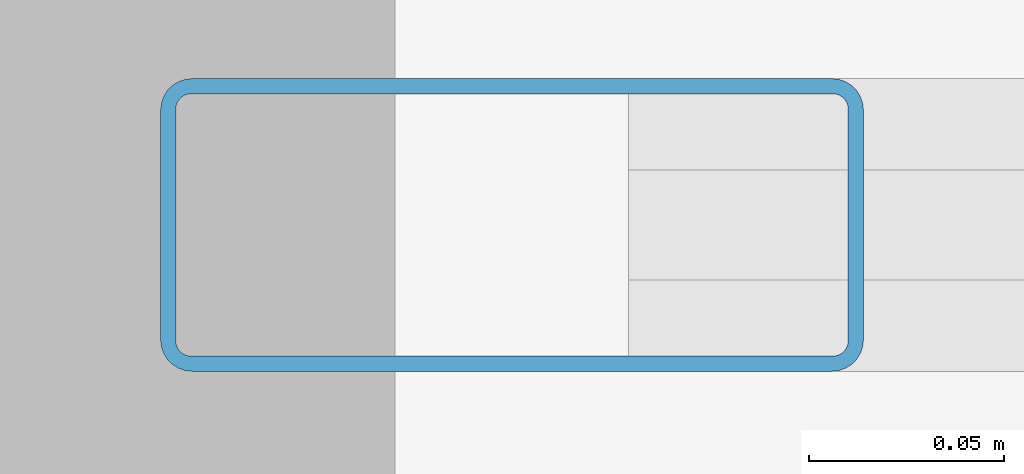
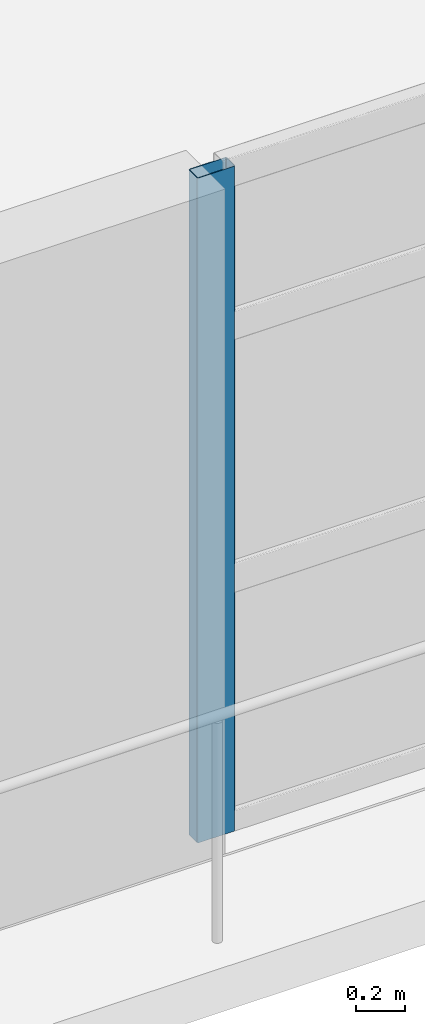
# One storey, part 2 of 24: 1 member, 1 element without a shape of its own.
"""IFC4 building model written with IfcOpenShell, lengths in metres."""

import ifcopenshell
import ifcopenshell.guid

model = None  # the IFC model being written
_history = None  # IfcOwnerHistory: only IFC2X3 demands one
_inside = {}  # id of a spatial element -> (the spatial element, [elements in it])
_under = {}  # id of a project, library or spatial element -> (it, [spatial elements below it])
_declared = {}  # id of a project -> (the project, [libraries it declares])
_typed = {}  # id of a type object -> (the type object, [elements of that type])
_made_of = {}  # id of a material, layer set ... -> (it, [elements and type objects made of it])


def new_model(schema):
    """Start an empty IFC model of exactly this schema.

    Asked for "IFC4X3", IfcOpenShell would pick the latest addendum, in which some entities
    have other attributes; the version numbers below select the first issue.
    IFC2X3 requires an IfcOwnerHistory on every rooted entity: one is made here for all.
    """
    global model, _history
    if schema == "IFC4X3":
        model = ifcopenshell.file(schema_version=(4, 3, 0, 0))
    else:
        model = ifcopenshell.file(schema=schema)
    _inside.clear()
    _under.clear()
    _declared.clear()
    _typed.clear()
    _made_of.clear()
    _history = None
    if model.schema == "IFC2X3":
        org = make("IfcOrganization", Name="unknown")
        user = make(
            "IfcPersonAndOrganization",
            ThePerson=make("IfcPerson", FamilyName="unknown"),
            TheOrganization=org,
        )
        app = make(
            "IfcApplication",
            ApplicationDeveloper=org,
            Version="unknown",
            ApplicationFullName="unknown",
            ApplicationIdentifier="unknown",
        )
        _history = make(
            "IfcOwnerHistory",
            OwningUser=user,
            OwningApplication=app,
            ChangeAction="ADDED",
            CreationDate=0,
        )
    return model


def make(cls, **values):
    """One entity of the class cls with the attributes given. An attribute that is None is left unset."""
    return model.create_entity(
        cls, **{name: value for name, value in values.items() if value is not None}
    )


def rooted(cls, **values):
    """An entity with a GlobalId (a new one), such as an element, a storey or a relation."""
    return make(cls, GlobalId=ifcopenshell.guid.new(), OwnerHistory=_history, **values)


def si_unit(unit_type, name, prefix=None):
    """IfcSIUnit, for example si_unit("LENGTHUNIT", "METRE", prefix="MILLI")."""
    return make("IfcSIUnit", UnitType=unit_type, Prefix=prefix, Name=name)


def assignment(units):
    """IfcUnitAssignment: the units of a project."""
    return None if units is None else make("IfcUnitAssignment", Units=units)


def point(xyz):
    """IfcCartesianPoint."""
    return None if xyz is None else make("IfcCartesianPoint", Coordinates=xyz)


def direction(xyz):
    """IfcDirection."""
    return None if xyz is None else make("IfcDirection", DirectionRatios=xyz)


def frame(location, z_axis=None, x_axis=None):
    """IfcAxis2Placement3D, a coordinate frame: its origin and axes. An axis left out is left unset."""
    return make(
        "IfcAxis2Placement3D",
        Location=point(location),
        Axis=direction(z_axis),
        RefDirection=direction(x_axis),
    )


def frame_2d(location, x_axis=None):
    """IfcAxis2Placement2D, a coordinate frame in the plane: its origin and x axis."""
    return make(
        "IfcAxis2Placement2D", Location=point(location), RefDirection=direction(x_axis)
    )


def origin():
    """The frame at (0, 0, 0) with its axes left unset."""
    return frame((0.0, 0.0, 0.0))


def origin_2d():
    """The frame at (0, 0) in the plane with its x axis left unset."""
    return frame_2d((0.0, 0.0))


def place(relative_to, where):
    """IfcLocalPlacement: puts the frame where relative to a parent placement (None: the world)."""
    return make(
        "IfcLocalPlacement", PlacementRelTo=relative_to, RelativePlacement=where
    )


def context(
    kind, dimensions, precision=None, world=None, true_north=None, identifier=None
):
    """IfcGeometricRepresentationContext, for example the 3D "Model" context."""
    return make(
        "IfcGeometricRepresentationContext",
        ContextIdentifier=identifier,
        ContextType=kind,
        CoordinateSpaceDimension=dimensions,
        Precision=precision,
        WorldCoordinateSystem=world,
        TrueNorth=true_north,
    )


def subcontext(parent, identifier, kind, view, scale=None):
    """IfcGeometricRepresentationSubContext, for example "Body" below "Model"."""
    return make(
        "IfcGeometricRepresentationSubContext",
        ContextIdentifier=identifier,
        ContextType=kind,
        ParentContext=parent,
        TargetScale=scale,
        TargetView=view,
    )


def project(units=None, contexts=None):
    """IfcProject with its units and contexts."""
    return rooted(
        "IfcProject",
        Name="project",
        RepresentationContexts=contexts,
        UnitsInContext=assignment(units),
    )


def spatial(cls, under=None, at=None, **own):
    """A site, building, storey or space (cls), placed at a placement, below another one or the project."""
    s = rooted(cls, ObjectPlacement=at, **own)
    if under is not None:
        _under.setdefault(under.id(), (under, []))[1].append(s)
    return s


def profile(cls, at=None, kind="AREA", **sizes):
    """A parametric profile (cls). Its sizes go by their IFC names, for example OverallWidth=200.0."""
    return make(cls, ProfileType=kind, Position=at, **sizes)


def hollow_rectangle(**sizes):
    """IfcRectangleHollowProfileDef."""
    return profile("IfcRectangleHollowProfileDef", **sizes)


def extrude(swept, where, along, depth):
    """IfcExtrudedAreaSolid: the profile swept, set in the frame where, extruded along a direction by depth."""
    return make(
        "IfcExtrudedAreaSolid",
        SweptArea=swept,
        Position=where,
        ExtrudedDirection=direction(along),
        Depth=depth,
    )


def shape(context_of_items, identifier, shape_type, items):
    """IfcShapeRepresentation: the items that make up one representation, for example the "Body"."""
    return make(
        "IfcShapeRepresentation",
        ContextOfItems=context_of_items,
        RepresentationIdentifier=identifier,
        RepresentationType=shape_type,
        Items=items,
    )


def material(Name=None, Category=None):
    """IfcMaterial."""
    return make("IfcMaterial", Name=Name, Category=Category)


def layer(
    of_material, thickness, ventilated=None, Name=None, Category=None, Priority=None
):
    """IfcMaterialLayer: one layer of a wall or slab, of a material (None: an air gap)."""
    return make(
        "IfcMaterialLayer",
        Material=of_material,
        LayerThickness=thickness,
        IsVentilated=ventilated,
        Name=Name,
        Category=Category,
        Priority=Priority,
    )


def layer_set(layers, Name=None):
    """IfcMaterialLayerSet."""
    return make("IfcMaterialLayerSet", MaterialLayers=layers, LayerSetName=Name)


def material_profile(
    of_material, cross_section, Name=None, Category=None, Priority=None
):
    """IfcMaterialProfile: a cross section and its material."""
    return make(
        "IfcMaterialProfile",
        Name=Name,
        Material=of_material,
        Profile=cross_section,
        Priority=Priority,
        Category=Category,
    )


def profile_set(profiles, Name=None, composite=None):
    """IfcMaterialProfileSet."""
    return make(
        "IfcMaterialProfileSet",
        Name=Name,
        MaterialProfiles=profiles,
        CompositeProfile=composite,
    )


def made_of(thing, what):
    """Note that an element or type object is made of a material, layer set ...; save() writes the relation."""
    if what is not None:
        _made_of.setdefault(what.id(), (what, []))[1].append(thing)
    return thing


def type_object(cls, material=None, **own):
    """A type object (cls), such as IfcWallType, which elements share."""
    return made_of(rooted(cls, **own), material)


def element(
    cls,
    number,
    at=None,
    inside=None,
    cuts=None,
    type_object=None,
    material=None,
    context=None,
    identifier="Body",
    shape_type=None,
    held_by="IfcProductDefinitionShape",
    body=None,
    shapes=None,
    **own,
):
    """One element of the class cls, such as IfcWall. Its Tag is "e" and its number.

    at: its placement. inside: the storey or other place that contains it. cuts: it is an
    opening in that element (IfcRelVoidsElement). A single representation is given by context,
    identifier, shape_type and body (its items); several are given by shapes. held_by: the class
    of the entity that holds the representations. save() writes the other relations.
    """
    e = rooted(cls, Tag="e%d" % number, ObjectPlacement=at, **own)
    if body is not None:
        shapes = [shape(context, identifier, shape_type, body)]
    if shapes is not None:
        e.Representation = make(held_by, Representations=shapes)
    if inside is not None:
        _inside.setdefault(inside.id(), (inside, []))[1].append(e)
    if cuts is not None:
        rooted(
            "IfcRelVoidsElement", RelatingBuildingElement=cuts, RelatedOpeningElement=e
        )
    if type_object is not None:
        _typed.setdefault(type_object.id(), (type_object, []))[1].append(e)
    return made_of(e, material)


def aggregate(whole, parts):
    """IfcRelAggregates: a whole, such as a stair, and the parts it consists of."""
    return rooted("IfcRelAggregates", RelatingObject=whole, RelatedObjects=parts)


def save(model, path):
    """Write the relations noted so far, then the file.

    IfcRelAggregates (storeys below a building ...), IfcRelContainedInSpatialStructure (elements
    in a storey), IfcRelDefinesByType, IfcRelAssociatesMaterial and IfcRelDeclares: one each for
    every whole, place, type object, material and project.
    """
    for whole, parts in _under.values():
        aggregate(whole, parts)
    for where, things in _inside.values():
        rooted(
            "IfcRelContainedInSpatialStructure",
            RelatedElements=things,
            RelatingStructure=where,
        )
    for kind, things in _typed.values():
        rooted("IfcRelDefinesByType", RelatedObjects=things, RelatingType=kind)
    for what, things in _made_of.values():
        rooted("IfcRelAssociatesMaterial", RelatedObjects=things, RelatingMaterial=what)
    for by, libraries in _declared.values():
        rooted("IfcRelDeclares", RelatingContext=by, RelatedDefinitions=libraries)
    model.write(path)


model = new_model("IFC4")

# Units and contexts
model_context = context("Model", 3, precision=1e-05, world=origin(), true_north=direction((0.0, 1.0)))
body_context = subcontext(model_context, "Body", "Model", "MODEL_VIEW")
ifc_project = project(units=[si_unit("LENGTHUNIT", "METRE"), si_unit("AREAUNIT", "SQUARE_METRE"), si_unit("VOLUMEUNIT", "CUBIC_METRE"), si_unit("PLANEANGLEUNIT", "RADIAN"), si_unit("MASSUNIT", "GRAM", prefix="KILO")], contexts=[model_context])

# Site, building, storey
site_placement = place(None, origin())
site = spatial("IfcSite", under=ifc_project, at=site_placement, CompositionType="ELEMENT")
building_placement = place(site_placement, origin())
building = spatial("IfcBuilding", under=site, at=building_placement, Name="Qingluan Cross Belvedere", CompositionType="ELEMENT")
storey_placement = place(building_placement, frame((0.0, 0.0, 14.699951171875)))
storey = spatial("IfcBuildingStorey", under=building, at=storey_placement, Name="L04", CompositionType="ELEMENT", Elevation=14.699951171875)

# Curtain wall, member
ifc_material_1 = material(Name="Thermally broken aluminium and Low-E glass", Category="aluminium")
ifc_layer = layer(ifc_material_1, 0.219970703125, Name="UnitisedCW_BallroomFoyer")
ifc_layer_set = layer_set([ifc_layer], Name="Thermally broken aluminium and Low-E glass")
curtain_wall_type = type_object("IfcCurtainWallType", Name="UnitisedCW_BallroomFoyer", PredefinedType="USERDEFINED", material=ifc_layer_set)
curtain_wall_placement = place(storey_placement, origin())
curtain_wall = element("IfcCurtainWall", 1, at=curtain_wall_placement, inside=storey, type_object=curtain_wall_type, Name="UnitisedCW_BallroomFoyer run env:cw:L04:S", ObjectType="UNITISED CURTAIN WALL", PredefinedType="USERDEFINED")
ifc_material_2 = material(Name="Aluminium alloy 6063-T6", Category="aluminium")
ifc_material_profile = material_profile(ifc_material_2, hollow_rectangle(XDim=0.074951171875, YDim=0.179931640625, WallThickness=0.00390625, InnerFilletRadius=0.00390625, OuterFilletRadius=0.008056640625, at=origin_2d()), Name="CWM180x75x4")
ifc_profile_set = profile_set([ifc_material_profile], Name="Aluminium alloy 6063-T6")
member_type = type_object("IfcMemberType", Name="CWMullion_180", PredefinedType="MULLION", material=ifc_profile_set)
member_placement = place(storey_placement, frame((-5.89990234375, -36.93994140625, 0.0), z_axis=(0.0, 0.0, 1.0), x_axis=(0.0, -1.0, 0.0)))
member = element("IfcMember", 2, at=member_placement, type_object=member_type, Name="CW-P2 mullion 7", PredefinedType="MULLION", context=body_context, shape_type="SweptSolid", body=[
    extrude(hollow_rectangle(XDim=0.074951171875, YDim=0.179931640625, WallThickness=0.00390625, InnerFilletRadius=0.00390625, OuterFilletRadius=0.008056640625, at=origin_2d()), origin(), (0.0, 0.0, 1.0), 3.330078125),
])
aggregate(curtain_wall, [member])

save(model, "model.ifc")
